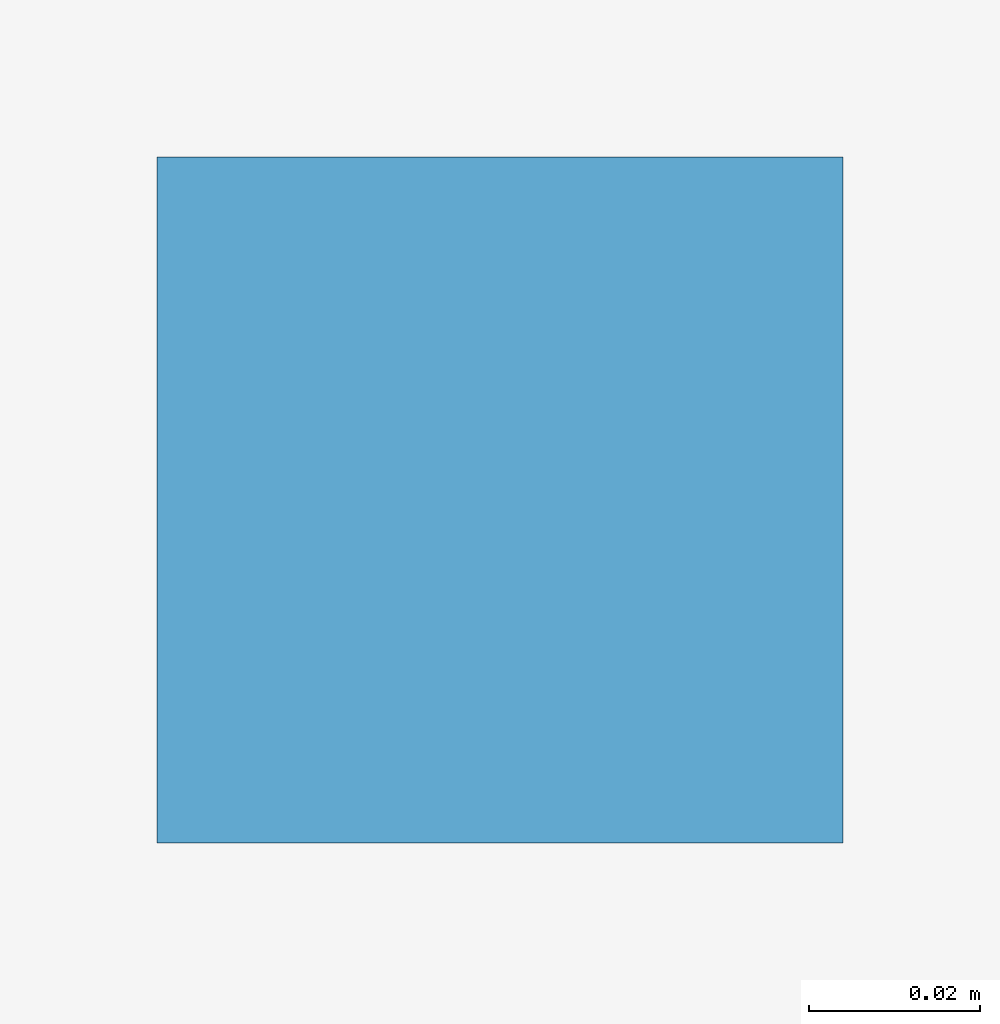
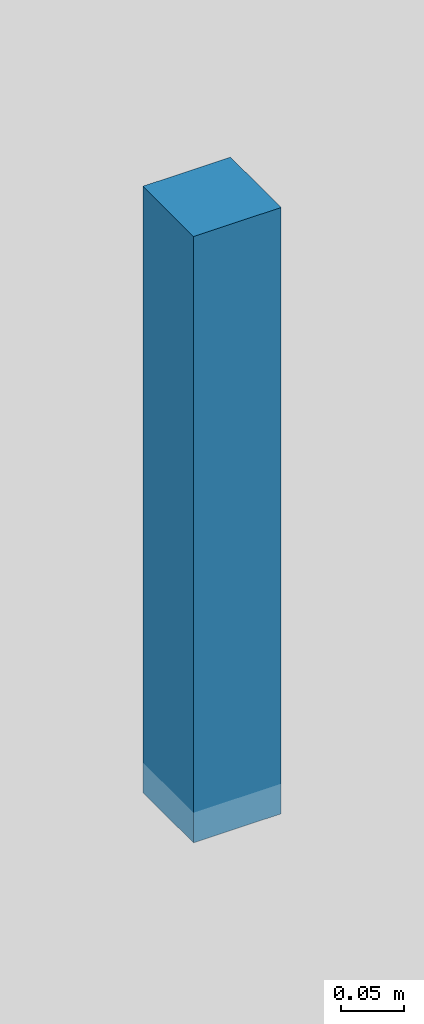
# One storey, part 13 of 19: 1 discrete accessory.
"""IFC4 building model written with IfcOpenShell, lengths in metres."""

from ifc_helpers import new_model, si_unit, direction, frame, origin, origin_2d, place, context, subcontext, project, spatial, rectangle, extrude, source, transform, mapped, material, type_object, element, save


model = new_model("IFC4")

# Units and contexts
model_context = context("Model", 3, precision=1e-05, world=origin(), true_north=direction((0.0, 1.0)))
body_context = subcontext(model_context, "Body", "Model", "MODEL_VIEW")
ifc_project = project(units=[si_unit("LENGTHUNIT", "METRE"), si_unit("AREAUNIT", "SQUARE_METRE"), si_unit("VOLUMEUNIT", "CUBIC_METRE"), si_unit("PLANEANGLEUNIT", "RADIAN"), si_unit("MASSUNIT", "GRAM", prefix="KILO")], contexts=[model_context])

# Site, building, storey
site_placement = place(None, origin())
site = spatial("IfcSite", under=ifc_project, at=site_placement, CompositionType="ELEMENT")
building_placement = place(site_placement, origin())
building = spatial("IfcBuilding", under=site, at=building_placement, Name="Giltprow Tower", CompositionType="ELEMENT")
storey_placement = place(building_placement, frame((0.0, 0.0, 241.699951171875)))
storey = spatial("IfcBuildingStorey", under=building, at=storey_placement, Name="L61", CompositionType="ELEMENT", Elevation=241.699951171875)

# Discrete accessory
ifc_material = material(Name="Structural steel Q355B", Category="steel")
discrete_accessory_type = type_object("IfcDiscreteAccessoryType", Name="ACC-CLG-HANGER", PredefinedType="BRACKET", material=ifc_material)
shared_shape = source(origin(), body_context, "Body", "SweptSolid", [
    extrude(rectangle(XDim=0.080078125, YDim=0.080078125, at=origin_2d()), origin(), (0.0, 0.0, 1.0), 0.5849609375),
])
discrete_accessory_placement = place(storey_placement, frame((35.0, 35.675048828125, 2.62060546875), z_axis=(0.0, 0.0, 1.0), x_axis=(1.0, 0.0, 0.0)))
element("IfcDiscreteAccessory", 1, at=discrete_accessory_placement, inside=storey, type_object=discrete_accessory_type, Name="L61 Residence Gallery Ceiling Suspension Hanger", PredefinedType="BRACKET", context=body_context, shape_type="MappedRepresentation", body=[
    mapped(shared_shape, transform((0.0, 0.0, 0.0), x_axis=(1.0, 0.0, 0.0), y_axis=(0.0, 1.0, 0.0), z_axis=(0.0, 0.0, 1.0), scale=1.0)),
])

save(model, "model.ifc")
